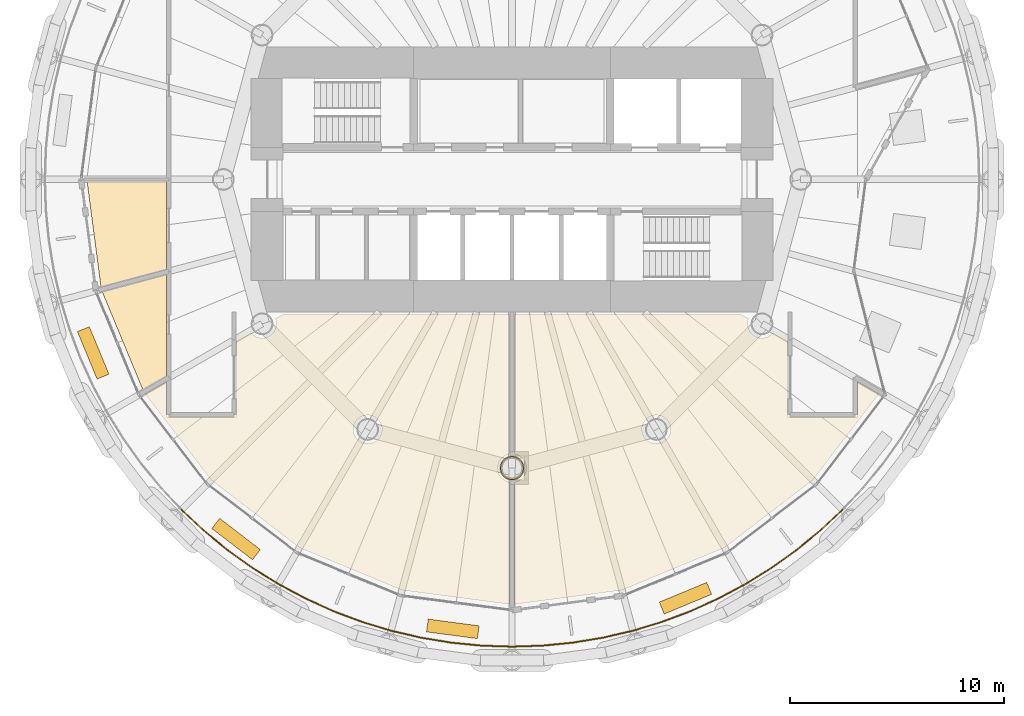
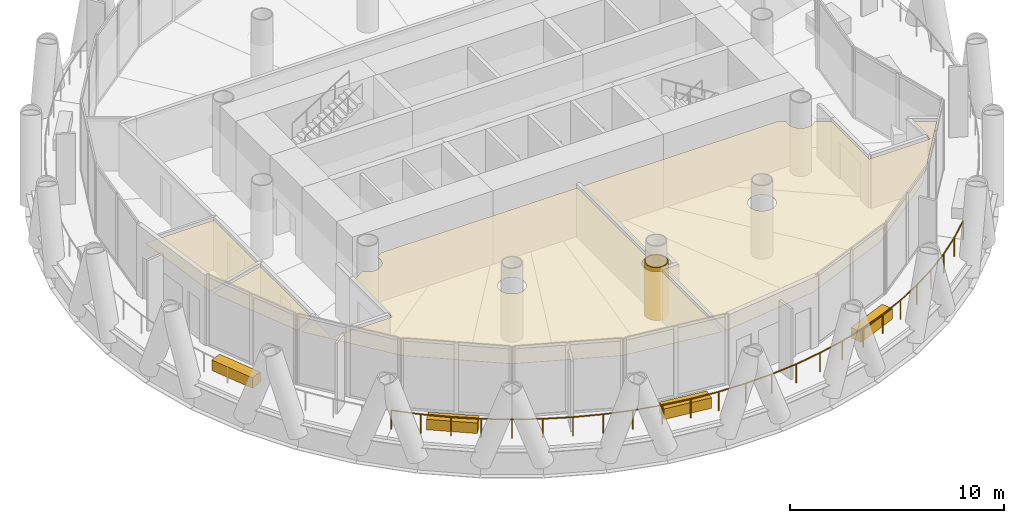
# One storey, part 11 of 13: 9 coverings, 1 railing.
"""IFC4 building model written with IfcOpenShell, lengths in metres."""

from ifc_helpers import new_model, si_unit, direction, frame, origin, origin_2d, place, context, subcontext, project, spatial, polyline, rectangle, circle, outline, extrude, material, layer, layer_set, type_object, element, save


model = new_model("IFC4")

# Units and contexts
model_context = context("Model", 3, precision=1e-05, world=origin(), true_north=direction((0.0, 1.0)))
body_context = subcontext(model_context, "Body", "Model", "MODEL_VIEW")
ifc_project = project(units=[si_unit("LENGTHUNIT", "METRE"), si_unit("AREAUNIT", "SQUARE_METRE"), si_unit("VOLUMEUNIT", "CUBIC_METRE"), si_unit("PLANEANGLEUNIT", "RADIAN"), si_unit("MASSUNIT", "GRAM", prefix="KILO")], contexts=[model_context])

# Site, building, storey
site_placement = place(None, origin())
site = spatial("IfcSite", under=ifc_project, at=site_placement, CompositionType="ELEMENT")
building_placement = place(site_placement, origin())
building = spatial("IfcBuilding", under=site, at=building_placement, Name="Qaws Media Tower", CompositionType="ELEMENT")
storey_placement = place(building_placement, frame((0.0, 0.0, 223.39990234375)))
storey = spatial("IfcBuildingStorey", under=building, at=storey_placement, Name="L51", CompositionType="ELEMENT", Elevation=223.39990234375)

# Railing
ifc_material_1 = material(Name="Stainless steel and glass guard", Category="steel")
railing_type = type_object("IfcRailingType", Name="Balcony guard 1100", PredefinedType="GUARDRAIL", material=ifc_material_1)
railing_placement = place(storey_placement, frame((44.5498046875, 34.5498046875, 0.0)))
element("IfcRailing", 1, at=railing_placement, inside=storey, type_object=railing_type, Name="GR1 balcony guard L51-3", PredefinedType="GUARDRAIL", context=body_context, shape_type="SweptSolid", body=[
    extrude(circle(Radius=0.02392578125, at=origin_2d()), frame((0.0, 0.0, 1.076171875), z_axis=(0.729782099041, -0.683679813889, 0.0), x_axis=(0.683679813889, 0.729782099041, 0.0)), (0.0, 0.0, 1.0), 1.429931640625),
    extrude(circle(Radius=0.02392578125, at=origin_2d()), frame((1.04345703125, -0.9775390625, 1.076171875), z_axis=(0.773028279969, -0.634371561759, 0.0), x_axis=(0.634371561759, 0.773028279969, 0.0)), (0.0, 0.0, 1.0), 1.4296875),
    extrude(circle(Radius=0.02392578125, at=origin_2d()), frame((2.148681640625, -1.884521484375, 1.076171875), z_axis=(0.812821169307, -0.582513301759, 0.0), x_axis=(0.582513301759, 0.812821169307, 0.0)), (0.0, 0.0, 1.0), 1.429931640625),
    extrude(circle(Radius=0.02392578125, at=origin_2d()), frame((3.31103515625, -2.717529296875, 1.076171875), z_axis=(0.849233586701, -0.528017343672, 0.0), x_axis=(0.528017343672, 0.849233586701, 0.0)), (0.0, 0.0, 1.0), 1.4296875),
    extrude(circle(Radius=0.02392578125, at=origin_2d()), frame((4.525146484375, -3.472412109375, 1.076171875), z_axis=(0.881903518671, -0.47142993515, 0.0), x_axis=(0.47142993515, 0.881903518671, 0.0)), (0.0, 0.0, 1.0), 1.429931640625),
    extrude(circle(Radius=0.02392578125, at=origin_2d()), frame((5.7861328125, -4.146484375, 1.076171875), z_axis=(0.910880322632, -0.412670616645, 0.0), x_axis=(0.412670616645, 0.910880322632, 0.0)), (0.0, 0.0, 1.0), 1.429931640625),
    extrude(circle(Radius=0.02392578125, at=origin_2d()), frame((7.088623046875, -4.736572265625, 1.076171875), z_axis=(0.935900428263, -0.352264656724, 0.0), x_axis=(0.352264656724, 0.935900428263, 0.0)), (0.0, 0.0, 1.0), 1.4296875),
    extrude(circle(Radius=0.02392578125, at=origin_2d()), frame((8.4267578125, -5.240234375, 1.076171875), z_axis=(0.956938192373, -0.290291742868, 0.0), x_axis=(0.290291742868, 0.956938192373, 0.0)), (0.0, 0.0, 1.0), 1.4296875),
    extrude(circle(Radius=0.02392578125, at=origin_2d()), frame((9.794921875, -5.6552734375, 1.076171875), z_axis=(0.973876460606, -0.227078487483, 0.0), x_axis=(0.227078487483, 0.973876460606, 0.0)), (0.0, 0.0, 1.0), 1.429931640625),
    extrude(circle(Radius=0.02392578125, at=origin_2d()), frame((11.1875, -5.97998046875, 1.076171875), z_axis=(0.98664200542, -0.162903508683, 0.0), x_axis=(0.162903508683, 0.98664200542, 0.0)), (0.0, 0.0, 1.0), 1.4296875),
    extrude(circle(Radius=0.02392578125, at=origin_2d()), frame((12.59814453125, -6.212890625, 1.076171875), z_axis=(0.995186498322, -0.097999150804, 0.0), x_axis=(0.097999150804, 0.995186498322, 0.0)), (0.0, 0.0, 1.0), 1.429931640625),
    extrude(circle(Radius=0.02392578125, at=origin_2d()), frame((14.021240234375, -6.35302734375, 1.076171875), z_axis=(0.999462392791, -0.032786054915, 0.0), x_axis=(0.032786054915, 0.999462392791, 0.0)), (0.0, 0.0, 1.0), 1.4296875),
    extrude(circle(Radius=0.02392578125, at=origin_2d()), frame((15.4501953125, -6.39990234375, 1.076171875), z_axis=(0.999462392791, 0.032786054915, 0.0), x_axis=(-0.032786054915, 0.999462392791, 0.0)), (0.0, 0.0, 1.0), 1.4296875),
    extrude(circle(Radius=0.02392578125, at=origin_2d()), frame((16.879150390625, -6.35302734375, 1.076171875), z_axis=(0.995186498322, 0.097999150804, 0.0), x_axis=(-0.097999150804, 0.995186498322, 0.0)), (0.0, 0.0, 1.0), 1.429931640625),
    extrude(circle(Radius=0.02392578125, at=origin_2d()), frame((18.30224609375, -6.212890625, 1.076171875), z_axis=(0.98664200542, 0.162903508683, 0.0), x_axis=(-0.162903508683, 0.98664200542, 0.0)), (0.0, 0.0, 1.0), 1.4296875),
    extrude(circle(Radius=0.02392578125, at=origin_2d()), frame((19.712890625, -5.97998046875, 1.076171875), z_axis=(0.973876460606, 0.227078487483, 0.0), x_axis=(-0.227078487483, 0.973876460606, 0.0)), (0.0, 0.0, 1.0), 1.429931640625),
    extrude(circle(Radius=0.02392578125, at=origin_2d()), frame((21.10546875, -5.6552734375, 1.076171875), z_axis=(0.956938192373, 0.290291742868, 0.0), x_axis=(-0.290291742868, 0.956938192373, 0.0)), (0.0, 0.0, 1.0), 1.4296875),
    extrude(circle(Radius=0.02392578125, at=origin_2d()), frame((22.4736328125, -5.240234375, 1.076171875), z_axis=(0.935900428263, 0.352264656724, 0.0), x_axis=(-0.352264656724, 0.935900428263, 0.0)), (0.0, 0.0, 1.0), 1.4296875),
    extrude(circle(Radius=0.02392578125, at=origin_2d()), frame((23.811767578125, -4.736572265625, 1.076171875), z_axis=(0.910880322632, 0.412670616645, 0.0), x_axis=(-0.412670616645, 0.910880322632, 0.0)), (0.0, 0.0, 1.0), 1.429931640625),
    extrude(circle(Radius=0.02392578125, at=origin_2d()), frame((25.1142578125, -4.146484375, 1.076171875), z_axis=(0.881903518671, 0.47142993515, 0.0), x_axis=(-0.47142993515, 0.881903518671, 0.0)), (0.0, 0.0, 1.0), 1.429931640625),
    extrude(circle(Radius=0.02392578125, at=origin_2d()), frame((26.375244140625, -3.472412109375, 1.076171875), z_axis=(0.849233586701, 0.528017343672, 0.0), x_axis=(-0.528017343672, 0.849233586701, 0.0)), (0.0, 0.0, 1.0), 1.4296875),
    extrude(circle(Radius=0.02392578125, at=origin_2d()), frame((27.58935546875, -2.717529296875, 1.076171875), z_axis=(0.812821169307, 0.582513301759, 0.0), x_axis=(-0.582513301759, 0.812821169307, 0.0)), (0.0, 0.0, 1.0), 1.429931640625),
    extrude(circle(Radius=0.02392578125, at=origin_2d()), frame((28.751708984375, -1.884521484375, 1.076171875), z_axis=(0.773028279969, 0.634371561759, 0.0), x_axis=(-0.634371561759, 0.773028279969, 0.0)), (0.0, 0.0, 1.0), 1.4296875),
    extrude(circle(Radius=0.02392578125, at=origin_2d()), frame((29.85693359375, -0.9775390625, 1.076171875), z_axis=(0.729782099041, 0.683679813889, 0.0), x_axis=(-0.683679813889, 0.729782099041, 0.0)), (0.0, 0.0, 1.0), 1.429931640625),
    extrude(circle(Radius=0.02099609375, at=origin_2d()), origin(), (0.0, 0.0, 1.0), 1.052001953125),
    extrude(circle(Radius=0.02099609375, at=origin_2d()), frame((1.04345703125, -0.9775390625, 0.0)), (0.0, 0.0, 1.0), 1.052001953125),
    extrude(circle(Radius=0.02099609375, at=origin_2d()), frame((2.148681640625, -1.884521484375, 0.0)), (0.0, 0.0, 1.0), 1.052001953125),
    extrude(circle(Radius=0.02099609375, at=origin_2d()), frame((3.31103515625, -2.717529296875, 0.0)), (0.0, 0.0, 1.0), 1.052001953125),
    extrude(circle(Radius=0.02099609375, at=origin_2d()), frame((4.525146484375, -3.472412109375, 0.0)), (0.0, 0.0, 1.0), 1.052001953125),
    extrude(circle(Radius=0.02099609375, at=origin_2d()), frame((5.7861328125, -4.146484375, 0.0)), (0.0, 0.0, 1.0), 1.052001953125),
    extrude(circle(Radius=0.02099609375, at=origin_2d()), frame((7.088623046875, -4.736572265625, 0.0)), (0.0, 0.0, 1.0), 1.052001953125),
    extrude(circle(Radius=0.02099609375, at=origin_2d()), frame((8.4267578125, -5.240234375, 0.0)), (0.0, 0.0, 1.0), 1.052001953125),
    extrude(circle(Radius=0.02099609375, at=origin_2d()), frame((9.794921875, -5.6552734375, 0.0)), (0.0, 0.0, 1.0), 1.052001953125),
    extrude(circle(Radius=0.02099609375, at=origin_2d()), frame((11.1875, -5.97998046875, 0.0)), (0.0, 0.0, 1.0), 1.052001953125),
    extrude(circle(Radius=0.02099609375, at=origin_2d()), frame((12.59814453125, -6.212890625, 0.0)), (0.0, 0.0, 1.0), 1.052001953125),
    extrude(circle(Radius=0.02099609375, at=origin_2d()), frame((14.021240234375, -6.35302734375, 0.0)), (0.0, 0.0, 1.0), 1.052001953125),
    extrude(circle(Radius=0.02099609375, at=origin_2d()), frame((15.4501953125, -6.39990234375, 0.0)), (0.0, 0.0, 1.0), 1.052001953125),
    extrude(circle(Radius=0.02099609375, at=origin_2d()), frame((16.879150390625, -6.35302734375, 0.0)), (0.0, 0.0, 1.0), 1.052001953125),
    extrude(circle(Radius=0.02099609375, at=origin_2d()), frame((18.30224609375, -6.212890625, 0.0)), (0.0, 0.0, 1.0), 1.052001953125),
    extrude(circle(Radius=0.02099609375, at=origin_2d()), frame((19.712890625, -5.97998046875, 0.0)), (0.0, 0.0, 1.0), 1.052001953125),
    extrude(circle(Radius=0.02099609375, at=origin_2d()), frame((21.10546875, -5.6552734375, 0.0)), (0.0, 0.0, 1.0), 1.052001953125),
    extrude(circle(Radius=0.02099609375, at=origin_2d()), frame((22.4736328125, -5.240234375, 0.0)), (0.0, 0.0, 1.0), 1.052001953125),
    extrude(circle(Radius=0.02099609375, at=origin_2d()), frame((23.811767578125, -4.736572265625, 0.0)), (0.0, 0.0, 1.0), 1.052001953125),
    extrude(circle(Radius=0.02099609375, at=origin_2d()), frame((25.1142578125, -4.146484375, 0.0)), (0.0, 0.0, 1.0), 1.052001953125),
    extrude(circle(Radius=0.02099609375, at=origin_2d()), frame((26.375244140625, -3.472412109375, 0.0)), (0.0, 0.0, 1.0), 1.052001953125),
    extrude(circle(Radius=0.02099609375, at=origin_2d()), frame((27.58935546875, -2.717529296875, 0.0)), (0.0, 0.0, 1.0), 1.052001953125),
    extrude(circle(Radius=0.02099609375, at=origin_2d()), frame((28.751708984375, -1.884521484375, 0.0)), (0.0, 0.0, 1.0), 1.052001953125),
    extrude(circle(Radius=0.02099609375, at=origin_2d()), frame((29.85693359375, -0.9775390625, 0.0)), (0.0, 0.0, 1.0), 1.052001953125),
    extrude(circle(Radius=0.02099609375, at=origin_2d()), frame((30.900390625, 0.0, 0.0)), (0.0, 0.0, 1.0), 1.052001953125),
])

# Coverings
ifc_material_2 = material(Name="Two layers 15 fire-rated gypsum board on steel framing", Category="steel")
ifc_layer_1 = layer(ifc_material_2, 0.050048828125)
ifc_layer_set_1 = layer_set([ifc_layer_1], Name="Column fire casing")
covering_type_1 = type_object("IfcCoveringType", Name="Column fire casing", PredefinedType="CLADDING", material=ifc_layer_set_1)
covering_1_placement = place(storey_placement, origin())
element("IfcCovering", 2, at=covering_1_placement, inside=storey, type_object=covering_type_1, Name="CC1 column casing L51", PredefinedType="CLADDING", context=body_context, shape_type="SweptSolid", body=[
    extrude(outline(polyline([(60.56298828125, 36.5), (60.55810546875, 36.426513671875), (60.543701171875, 36.354248046875), (60.52001953125, 36.284423828125), (60.487548828125, 36.218505859375), (60.44677734375, 36.1572265625), (60.398193359375, 36.101806640625), (60.3427734375, 36.05322265625), (60.281494140625, 36.012451171875), (60.215576171875, 35.97998046875), (60.145751953125, 35.956298828125), (60.073486328125, 35.94189453125), (60.0, 35.93701171875), (59.926513671875, 35.94189453125), (59.854248046875, 35.956298828125), (59.784423828125, 35.97998046875), (59.718505859375, 36.012451171875), (59.6572265625, 36.05322265625), (59.601806640625, 36.101806640625), (59.55322265625, 36.1572265625), (59.512451171875, 36.218505859375), (59.47998046875, 36.284423828125), (59.456298828125, 36.354248046875), (59.44189453125, 36.426513671875), (59.43701171875, 36.5), (59.44189453125, 36.573486328125), (59.456298828125, 36.645751953125), (59.47998046875, 36.715576171875), (59.512451171875, 36.781494140625), (59.55322265625, 36.8427734375), (59.601806640625, 36.898193359375), (59.6572265625, 36.94677734375), (59.718505859375, 36.987548828125), (59.784423828125, 37.02001953125), (59.854248046875, 37.043701171875), (59.926513671875, 37.05810546875), (60.0, 37.06298828125), (60.073486328125, 37.05810546875), (60.145751953125, 37.043701171875), (60.215576171875, 37.02001953125), (60.281494140625, 36.987548828125), (60.3427734375, 36.94677734375), (60.398193359375, 36.898193359375), (60.44677734375, 36.8427734375), (60.487548828125, 36.781494140625), (60.52001953125, 36.715576171875), (60.543701171875, 36.645751953125), (60.55810546875, 36.573486328125), (60.56298828125, 36.5)]), holes=[polyline([(60.510986328125, 36.5), (60.506591796875, 36.433349609375), (60.49365234375, 36.36767578125), (60.47216796875, 36.304443359375), (60.4423828125, 36.244384765625), (60.405517578125, 36.18896484375), (60.361328125, 36.138671875), (60.31103515625, 36.094482421875), (60.255615234375, 36.0576171875), (60.195556640625, 36.02783203125), (60.13232421875, 36.00634765625), (60.066650390625, 35.993408203125), (60.0, 35.989013671875), (59.933349609375, 35.993408203125), (59.86767578125, 36.00634765625), (59.804443359375, 36.02783203125), (59.744384765625, 36.0576171875), (59.68896484375, 36.094482421875), (59.638671875, 36.138671875), (59.594482421875, 36.18896484375), (59.5576171875, 36.244384765625), (59.52783203125, 36.304443359375), (59.50634765625, 36.36767578125), (59.493408203125, 36.433349609375), (59.489013671875, 36.5), (59.493408203125, 36.566650390625), (59.50634765625, 36.63232421875), (59.52783203125, 36.695556640625), (59.5576171875, 36.755615234375), (59.594482421875, 36.81103515625), (59.638671875, 36.861328125), (59.68896484375, 36.905517578125), (59.744384765625, 36.9423828125), (59.804443359375, 36.97216796875), (59.86767578125, 36.99365234375), (59.933349609375, 37.006591796875), (60.0, 37.010986328125), (60.066650390625, 37.006591796875), (60.13232421875, 36.99365234375), (60.195556640625, 36.97216796875), (60.255615234375, 36.9423828125), (60.31103515625, 36.905517578125), (60.361328125, 36.861328125), (60.405517578125, 36.81103515625), (60.4423828125, 36.755615234375), (60.47216796875, 36.695556640625), (60.49365234375, 36.63232421875), (60.506591796875, 36.566650390625), (60.510986328125, 36.5)])]), origin(), (0.0, 0.0, 1.0), 3.02001953125),
])
ifc_material_3 = material(Name="600 x 600 mineral fibre tiles in exposed grid, suspended", Category="mineral fibre")
ifc_layer_2 = layer(ifc_material_3, 0.02001953125)
ifc_layer_set_2 = layer_set([ifc_layer_2], Name="Mineral fibre tile ceiling 20")
covering_type_2 = type_object("IfcCoveringType", Name="Mineral fibre tile ceiling 20", PredefinedType="CEILING", material=ifc_layer_set_2)
covering_2_placement = place(storey_placement, frame((0.0, 0.0, 2.85009765625)))
element("IfcCovering", 3, at=covering_2_placement, inside=storey, type_object=covering_type_2, Name="CL1 ceiling L51-05 Office", PredefinedType="CEILING", context=body_context, shape_type="SweptSolid", body=[
    extrude(outline(polyline([(40.835693359375, 44.74853515625), (43.83740234375, 45.552734375), (43.83740234375, 40.798583984375), (42.735595703125, 40.162109375), (40.835693359375, 44.74853515625)])), origin(), (0.0, 0.0, 1.0), 0.02001953125),
])
covering_3_placement = place(storey_placement, frame((0.0, 0.0, 2.85009765625)))
element("IfcCovering", 4, at=covering_3_placement, inside=storey, type_object=covering_type_2, Name="CL1 ceiling L51-06 Tenant office", PredefinedType="CEILING", context=body_context, shape_type="SweptSolid", body=[
    extrude(outline(polyline([(54.853271484375, 30.792236328125), (50.057373046875, 32.77880859375), (45.93896484375, 35.93896484375), (42.847900390625, 39.96728515625), (43.83740234375, 40.538818359375), (43.83740234375, 38.887451171875), (47.112548828125, 38.887451171875), (47.112548828125, 42.429443359375), (47.795654296875, 42.823974609375), (47.836181640625, 42.777587890625), (47.902099609375, 42.719970703125), (47.974609375, 42.67138671875), (48.052978515625, 42.6328125), (48.1357421875, 42.604736328125), (48.221435546875, 42.587646484375), (48.30859375, 42.58203125), (48.395751953125, 42.587646484375), (48.4814453125, 42.604736328125), (48.564208984375, 42.6328125), (48.642578125, 42.67138671875), (48.71533203125, 42.719970703125), (48.781005859375, 42.777587890625), (48.838623046875, 42.84326171875), (48.88720703125, 42.916015625), (48.92578125, 42.994384765625), (48.953857421875, 43.0771484375), (48.970947265625, 43.162841796875), (48.976806640625, 43.25), (48.970947265625, 43.337158203125), (48.953857421875, 43.4228515625), (48.93408203125, 43.481201171875), (49.29150390625, 43.6875), (59.887451171875, 43.6875), (59.887451171875, 37.1572265625), (59.8271484375, 37.145263671875), (59.744384765625, 37.1171875), (59.666015625, 37.07861328125), (59.59326171875, 37.030029296875), (59.527587890625, 36.972412109375), (59.469970703125, 36.90673828125), (59.42138671875, 36.833984375), (59.3828125, 36.755615234375), (59.354736328125, 36.6728515625), (59.337646484375, 36.587158203125), (59.33203125, 36.5), (59.337646484375, 36.412841796875), (59.354736328125, 36.3271484375), (59.3828125, 36.244384765625), (59.42138671875, 36.166015625), (59.469970703125, 36.09326171875), (59.527587890625, 36.027587890625), (59.59326171875, 35.969970703125), (59.666015625, 35.92138671875), (59.744384765625, 35.8828125), (59.8271484375, 35.854736328125), (59.887451171875, 35.8427734375), (59.887451171875, 30.129638671875), (54.853271484375, 30.792236328125)]), holes=[polyline([(53.895263671875, 38.1357421875), (53.912353515625, 38.221435546875), (53.91796875, 38.30859375), (53.912353515625, 38.395751953125), (53.895263671875, 38.4814453125), (53.8671875, 38.564208984375), (53.82861328125, 38.642578125), (53.780029296875, 38.71533203125), (53.722412109375, 38.781005859375), (53.65673828125, 38.838623046875), (53.583984375, 38.88720703125), (53.505615234375, 38.92578125), (53.4228515625, 38.953857421875), (53.337158203125, 38.970947265625), (53.25, 38.976806640625), (53.162841796875, 38.970947265625), (53.0771484375, 38.953857421875), (52.994384765625, 38.92578125), (52.916015625, 38.88720703125), (52.84326171875, 38.838623046875), (52.777587890625, 38.781005859375), (52.719970703125, 38.71533203125), (52.67138671875, 38.642578125), (52.6328125, 38.564208984375), (52.604736328125, 38.4814453125), (52.587646484375, 38.395751953125), (52.58203125, 38.30859375), (52.587646484375, 38.221435546875), (52.604736328125, 38.1357421875), (52.6328125, 38.052978515625), (52.67138671875, 37.974609375), (52.719970703125, 37.902099609375), (52.777587890625, 37.836181640625), (52.84326171875, 37.77880859375), (52.916015625, 37.730224609375), (52.994384765625, 37.69140625), (53.0771484375, 37.663330078125), (53.162841796875, 37.646484375), (53.25, 37.640625), (53.337158203125, 37.646484375), (53.4228515625, 37.663330078125), (53.505615234375, 37.69140625), (53.583984375, 37.730224609375), (53.65673828125, 37.77880859375), (53.722412109375, 37.836181640625), (53.780029296875, 37.902099609375), (53.82861328125, 37.974609375), (53.8671875, 38.052978515625), (53.895263671875, 38.1357421875)])]), origin(), (0.0, 0.0, 1.0), 0.02001953125),
])
covering_4_placement = place(storey_placement, frame((0.0, 0.0, 2.85009765625)))
element("IfcCovering", 5, at=covering_4_placement, inside=storey, type_object=covering_type_2, Name="CL1 ceiling L51-07 Tenant office", PredefinedType="CEILING", context=body_context, shape_type="SweptSolid", body=[
    extrude(outline(polyline([(72.887451171875, 38.887451171875), (76.16259765625, 38.887451171875), (76.16259765625, 40.538818359375), (77.152099609375, 39.96728515625), (74.06103515625, 35.93896484375), (69.942626953125, 32.77880859375), (65.146728515625, 30.792236328125), (60.112548828125, 30.129638671875), (60.112548828125, 35.8427734375), (60.1728515625, 35.854736328125), (60.255615234375, 35.8828125), (60.333984375, 35.92138671875), (60.40673828125, 35.969970703125), (60.472412109375, 36.027587890625), (60.530029296875, 36.09326171875), (60.57861328125, 36.166015625), (60.6171875, 36.244384765625), (60.645263671875, 36.3271484375), (60.662353515625, 36.412841796875), (60.66796875, 36.5), (60.662353515625, 36.587158203125), (60.645263671875, 36.6728515625), (60.6171875, 36.755615234375), (60.57861328125, 36.833984375), (60.530029296875, 36.90673828125), (60.472412109375, 36.972412109375), (60.40673828125, 37.030029296875), (60.333984375, 37.07861328125), (60.255615234375, 37.1171875), (60.1728515625, 37.145263671875), (60.112548828125, 37.1572265625), (60.112548828125, 43.6875), (70.70849609375, 43.6875), (71.06591796875, 43.481201171875), (71.046142578125, 43.4228515625), (71.029052734375, 43.337158203125), (71.023193359375, 43.25), (71.029052734375, 43.162841796875), (71.046142578125, 43.0771484375), (71.07421875, 42.994384765625), (71.11279296875, 42.916015625), (71.161376953125, 42.84326171875), (71.218994140625, 42.777587890625), (71.28466796875, 42.719970703125), (71.357421875, 42.67138671875), (71.435791015625, 42.6328125), (71.5185546875, 42.604736328125), (71.604248046875, 42.587646484375), (71.69140625, 42.58203125), (71.778564453125, 42.587646484375), (71.8642578125, 42.604736328125), (71.947021484375, 42.6328125), (72.025390625, 42.67138671875), (72.097900390625, 42.719970703125), (72.163818359375, 42.777587890625), (72.204345703125, 42.823974609375), (72.887451171875, 42.429443359375), (72.887451171875, 38.887451171875)]), holes=[polyline([(67.3671875, 38.052978515625), (67.395263671875, 38.1357421875), (67.412353515625, 38.221435546875), (67.41796875, 38.30859375), (67.412353515625, 38.395751953125), (67.395263671875, 38.4814453125), (67.3671875, 38.564208984375), (67.32861328125, 38.642578125), (67.280029296875, 38.71533203125), (67.222412109375, 38.781005859375), (67.15673828125, 38.838623046875), (67.083984375, 38.88720703125), (67.005615234375, 38.92578125), (66.9228515625, 38.953857421875), (66.837158203125, 38.970947265625), (66.75, 38.976806640625), (66.662841796875, 38.970947265625), (66.5771484375, 38.953857421875), (66.494384765625, 38.92578125), (66.416015625, 38.88720703125), (66.34326171875, 38.838623046875), (66.277587890625, 38.781005859375), (66.219970703125, 38.71533203125), (66.17138671875, 38.642578125), (66.1328125, 38.564208984375), (66.104736328125, 38.4814453125), (66.087646484375, 38.395751953125), (66.08203125, 38.30859375), (66.087646484375, 38.221435546875), (66.104736328125, 38.1357421875), (66.1328125, 38.052978515625), (66.17138671875, 37.974609375), (66.219970703125, 37.902099609375), (66.277587890625, 37.836181640625), (66.34326171875, 37.77880859375), (66.416015625, 37.730224609375), (66.494384765625, 37.69140625), (66.5771484375, 37.663330078125), (66.662841796875, 37.646484375), (66.75, 37.640625), (66.837158203125, 37.646484375), (66.9228515625, 37.663330078125), (67.005615234375, 37.69140625), (67.083984375, 37.730224609375), (67.15673828125, 37.77880859375), (67.222412109375, 37.836181640625), (67.280029296875, 37.902099609375), (67.32861328125, 37.974609375), (67.3671875, 38.052978515625)])]), origin(), (0.0, 0.0, 1.0), 0.02001953125),
])
ifc_material_4 = material(Name="Precast concrete planter with trailing planting", Category="concrete")
ifc_layer_3 = layer(ifc_material_4, 0.60009765625)
ifc_layer_set_3 = layer_set([ifc_layer_3], Name="Planter 2400x600")
covering_type_3 = type_object("IfcCoveringType", Name="Planter 2400x600", PredefinedType="USERDEFINED", material=ifc_layer_set_3)
for number, where, z_axis, x_axis, name in (
    (6, (40.413818359375, 41.88720703125, 0.0), (0.0, 0.0, 1.0), (0.382683432365, -0.923879532511, 0.0), "PL1 balcony planter L51-07"),
    (7, (47.09423828125, 33.180908203125, 0.0), (0.0, 0.0, 1.0), (0.793353340291, -0.608761429009, 0.0), "PL1 balcony planter L51-08"),
    (8, (57.23291015625, 28.9814453125, 0.0), (0.0, 0.0, 1.0), (0.991444861374, -0.13052619222, 0.0), "PL1 balcony planter L51-09"),
    (9, (68.11279296875, 30.413818359375, 0.0), (0.0, 0.0, 1.0), (0.923879532511, 0.382683432365, 0.0), "PL1 balcony planter L51-10"),
):
    element("IfcCovering", number, at=place(storey_placement, frame(where, z_axis=z_axis, x_axis=x_axis)), inside=storey, type_object=covering_type_3, Name=name, ObjectType="PLANTER", PredefinedType="USERDEFINED", context=body_context, shape_type="SweptSolid", body=[
        extrude(rectangle(XDim=2.39990234375, YDim=0.60009765625, at=origin_2d()), origin(), (0.0, 0.0, 1.0), 0.60009765625),
    ])
ifc_material_5 = material(Name="Two layers 12.5 moisture-resistant plasterboard on suspended metal furring", Category="gypsum")
ifc_layer_4 = layer(ifc_material_5, 0.02490234375)
ifc_layer_set_4 = layer_set([ifc_layer_4], Name="Plasterboard ceiling 25")
covering_type_4 = type_object("IfcCoveringType", Name="Plasterboard ceiling 25", PredefinedType="CEILING", material=ifc_layer_set_4)
covering_5_placement = place(storey_placement, frame((0.0, 0.0, 2.85009765625)))
element("IfcCovering", 10, at=covering_5_placement, inside=storey, type_object=covering_type_4, Name="CL2 ceiling L51-04 Tenant reception", PredefinedType="CEILING", context=body_context, shape_type="SweptSolid", body=[
    extrude(outline(polyline([(40.129638671875, 49.887451171875), (43.83740234375, 49.887451171875), (43.83740234375, 45.78564453125), (40.777587890625, 44.9658203125), (40.129638671875, 49.887451171875)])), origin(), (0.0, 0.0, 1.0), 0.02490234375),
])

save(model, "model.ifc")
